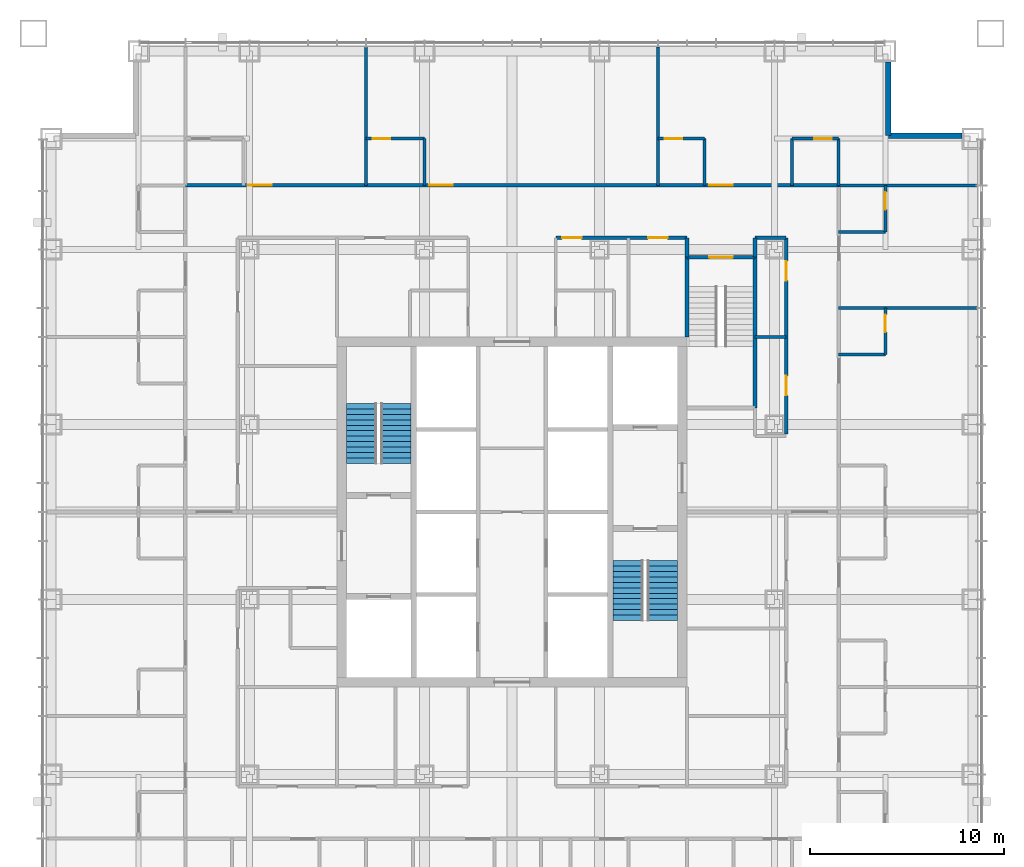
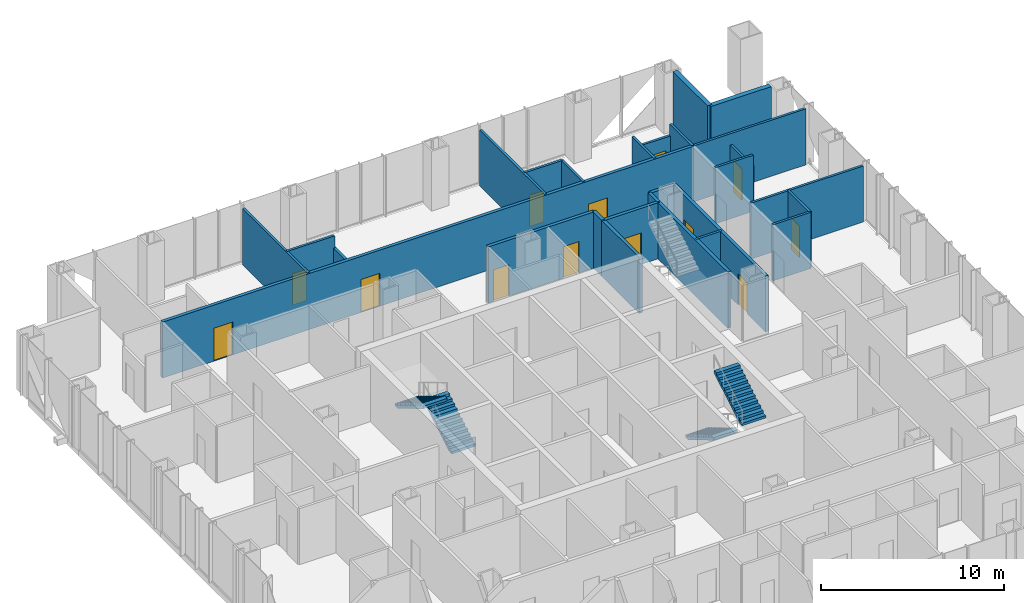
# One storey, part 12 of 18: 27 walls, 13 doors, 4 stair flights, 13 openings, 2 elements without a shape of their own.
"""IFC4 building model written with IfcOpenShell, lengths in metres."""

from ifc_helpers import new_model, si_unit, direction, frame, frame_2d, origin, place, context, subcontext, project, spatial, polyline, rectangle, outline, extrude, material, layer, layer_set, type_object, element, fill, aggregate, save


model = new_model("IFC4")

# Units and contexts
model_context = context("Model", 3, precision=1e-05, world=origin(), true_north=direction((0.0, 1.0)))
body_context = subcontext(model_context, "Body", "Model", "MODEL_VIEW")
ifc_project = project(units=[si_unit("LENGTHUNIT", "METRE"), si_unit("AREAUNIT", "SQUARE_METRE"), si_unit("VOLUMEUNIT", "CUBIC_METRE"), si_unit("PLANEANGLEUNIT", "RADIAN"), si_unit("MASSUNIT", "GRAM", prefix="KILO")], contexts=[model_context])

# Site, building, storey
site_placement = place(None, origin())
site = spatial("IfcSite", under=ifc_project, at=site_placement, CompositionType="ELEMENT")
building_placement = place(site_placement, origin())
building = spatial("IfcBuilding", under=site, at=building_placement, Name="Malebo Sky Hospital", CompositionType="ELEMENT")
storey_placement = place(building_placement, frame((0.0, 0.0, 132.0)))
storey = spatial("IfcBuildingStorey", under=building, at=storey_placement, Name="L31", CompositionType="ELEMENT", Elevation=132.0)

# Wall, openings, doors
ifc_material_1 = material(Name="Gypsum board on steel studs", Category="steel")
ifc_layer_1 = layer(ifc_material_1, 0.199951171875)
ifc_layer_set_1 = layer_set([ifc_layer_1], Name="CORRIDOR WALL 200")
wall_type_1 = type_object("IfcWallType", Name="CORRIDOR WALL 200", PredefinedType="PARTITIONING", material=ifc_layer_set_1)
wall_1_placement = place(storey_placement, frame((43.199951171875, 78.800048828125, 0.0), z_axis=(0.0, 0.0, 1.0), x_axis=(1.0, 0.0, 0.0)))
wall_1 = element("IfcWall", 1, at=wall_1_placement, inside=storey, type_object=wall_type_1, Name="Corridor Wall 200 NCO", PredefinedType="PARTITIONING", context=body_context, shape_type="SweptSolid", body=[
    extrude(rectangle(XDim=33.60009765625, YDim=0.199951171875, at=frame_2d((16.800048828125, 0.0))), origin(), (0.0, 0.0, 1.0), 3.75),
])
opening_1_placement = place(wall_1_placement, frame((3.25, 0.0, 0.0)))
opening_1 = element("IfcOpeningElement", 2, at=opening_1_placement, cuts=wall_1, Name="Opening D01", PredefinedType="OPENING", context=body_context, shape_type="SweptSolid", body=[
    extrude(rectangle(XDim=1.199951171875, YDim=2.199951171875, at=frame_2d((0.60009765625, 1.10009765625))), frame((0.0, 0.10986328125, 0.0), z_axis=(0.0, -1.0, 0.0), x_axis=(1.0, 0.0, 0.0)), (0.0, 0.0, 1.0), 0.219970703125),
])
opening_2_placement = place(wall_1_placement, frame((12.550048828125, 0.0, 0.0)))
opening_2 = element("IfcOpeningElement", 3, at=opening_2_placement, cuts=wall_1, Name="Opening D01", PredefinedType="OPENING", context=body_context, shape_type="SweptSolid", body=[
    extrude(rectangle(XDim=1.199951171875, YDim=2.199951171875, at=frame_2d((0.60009765625, 1.10009765625))), frame((0.0, 0.10986328125, 0.0), z_axis=(0.0, -1.0, 0.0), x_axis=(1.0, 0.0, 0.0)), (0.0, 0.0, 1.0), 0.219970703125),
])
opening_3_placement = place(wall_1_placement, frame((26.949951171875, 0.0, 0.0)))
opening_3 = element("IfcOpeningElement", 4, at=opening_3_placement, cuts=wall_1, Name="Opening D01", PredefinedType="OPENING", context=body_context, shape_type="SweptSolid", body=[
    extrude(rectangle(XDim=1.199951171875, YDim=2.199951171875, at=frame_2d((0.60009765625, 1.10009765625))), frame((0.0, 0.10986328125, 0.0), z_axis=(0.0, -1.0, 0.0), x_axis=(1.0, 0.0, 0.0)), (0.0, 0.0, 1.0), 0.219970703125),
])
ifc_material_2 = material(Name="Hardwood-faced door leaf in steel frame", Category="steel")
door_type_1 = type_object("IfcDoorType", Name="BED DOOR 1200", OperationType="SINGLE_SWING_LEFT", PredefinedType="DOOR", material=ifc_material_2)
door_1_placement = place(opening_1_placement, origin())
door_1 = element("IfcDoor", 5, at=door_1_placement, inside=storey, type_object=door_type_1, Name="Dialysis bay door", OperationType="SINGLE_SWING_LEFT", OverallHeight=2.199951171875, OverallWidth=1.199951171875, PredefinedType="DOOR", context=body_context, shape_type="SweptSolid", body=[
    extrude(rectangle(XDim=1.199951171875, YDim=2.199951171875, at=frame_2d((0.60009765625, 1.10009765625))), frame((0.0, 0.02490234375, 0.0), z_axis=(0.0, -1.0, 0.0), x_axis=(1.0, 0.0, 0.0)), (0.0, 0.0, 1.0), 0.050048828125),
])
fill(opening_1, door_1)
door_2_placement = place(opening_2_placement, origin())
door_2 = element("IfcDoor", 6, at=door_2_placement, inside=storey, type_object=door_type_1, Name="Dialysis bay door", OperationType="SINGLE_SWING_LEFT", OverallHeight=2.199951171875, OverallWidth=1.199951171875, PredefinedType="DOOR", context=body_context, shape_type="SweptSolid", body=[
    extrude(rectangle(XDim=1.199951171875, YDim=2.199951171875, at=frame_2d((0.60009765625, 1.10009765625))), frame((0.0, 0.02490234375, 0.0), z_axis=(0.0, -1.0, 0.0), x_axis=(1.0, 0.0, 0.0)), (0.0, 0.0, 1.0), 0.050048828125),
])
fill(opening_2, door_2)
door_3_placement = place(opening_3_placement, origin())
door_3 = element("IfcDoor", 7, at=door_3_placement, inside=storey, type_object=door_type_1, Name="Four-bed bay door", OperationType="SINGLE_SWING_LEFT", OverallHeight=2.199951171875, OverallWidth=1.199951171875, PredefinedType="DOOR", context=body_context, shape_type="SweptSolid", body=[
    extrude(rectangle(XDim=1.199951171875, YDim=2.199951171875, at=frame_2d((0.60009765625, 1.10009765625))), frame((0.0, 0.02490234375, 0.0), z_axis=(0.0, -1.0, 0.0), x_axis=(1.0, 0.0, 0.0)), (0.0, 0.0, 1.0), 0.050048828125),
])
fill(opening_3, door_3)

wall_2_placement = place(storey_placement, frame((62.25, 76.10009765625, 0.0), z_axis=(0.0, 0.0, 1.0), x_axis=(1.0, 0.0, 0.0)))
wall_2 = element("IfcWall", 8, at=wall_2_placement, inside=storey, type_object=wall_type_1, Name="Corridor Wall 200 NCI2", PredefinedType="PARTITIONING", context=body_context, shape_type="SweptSolid", body=[
    extrude(rectangle(XDim=6.75, YDim=0.199951171875, at=frame_2d((3.375, 0.0))), origin(), (0.0, 0.0, 1.0), 3.75),
])
opening_4_placement = place(wall_2_placement, frame((0.324951171875, 0.0, 0.0)))
opening_4 = element("IfcOpeningElement", 9, at=opening_4_placement, cuts=wall_2, Name="Opening D03", PredefinedType="OPENING", context=body_context, shape_type="SweptSolid", body=[
    extrude(rectangle(XDim=1.0, YDim=2.10009765625, at=frame_2d((0.5, 1.050048828125))), frame((0.0, 0.10986328125, 0.0), z_axis=(0.0, -1.0, 0.0), x_axis=(1.0, 0.0, 0.0)), (0.0, 0.0, 1.0), 0.219970703125),
])
opening_5_placement = place(wall_2_placement, frame((4.75, 0.0, 0.0)))
opening_5 = element("IfcOpeningElement", 10, at=opening_5_placement, cuts=wall_2, Name="Opening D03", PredefinedType="OPENING", context=body_context, shape_type="SweptSolid", body=[
    extrude(rectangle(XDim=1.0, YDim=2.10009765625, at=frame_2d((0.5, 1.050048828125))), frame((0.0, 0.10986328125, 0.0), z_axis=(0.0, -1.0, 0.0), x_axis=(1.0, 0.0, 0.0)), (0.0, 0.0, 1.0), 0.219970703125),
])
door_type_2 = type_object("IfcDoorType", Name="ROOM DOOR 1000", OperationType="SINGLE_SWING_LEFT", PredefinedType="DOOR", material=ifc_material_2)
door_4_placement = place(opening_4_placement, origin())
door_4 = element("IfcDoor", 11, at=door_4_placement, inside=storey, type_object=door_type_2, Name="Linen store door", OperationType="SINGLE_SWING_LEFT", OverallHeight=2.10009765625, OverallWidth=1.0, PredefinedType="DOOR", context=body_context, shape_type="SweptSolid", body=[
    extrude(rectangle(XDim=1.0, YDim=2.10009765625, at=frame_2d((0.5, 1.050048828125))), frame((0.0, 0.02490234375, 0.0), z_axis=(0.0, -1.0, 0.0), x_axis=(1.0, 0.0, 0.0)), (0.0, 0.0, 1.0), 0.050048828125),
])
fill(opening_4, door_4)
door_5_placement = place(opening_5_placement, origin())
door_5 = element("IfcDoor", 12, at=door_5_placement, inside=storey, type_object=door_type_2, Name="Equipment store door", OperationType="SINGLE_SWING_RIGHT", OverallHeight=2.10009765625, OverallWidth=1.0, PredefinedType="DOOR", context=body_context, shape_type="SweptSolid", body=[
    extrude(rectangle(XDim=1.0, YDim=2.10009765625, at=frame_2d((0.5, 1.050048828125))), frame((0.0, 0.02490234375, 0.0), z_axis=(0.0, -1.0, 0.0), x_axis=(1.0, 0.0, 0.0)), (0.0, 0.0, 1.0), 0.050048828125),
])
fill(opening_5, door_5)

# Wall
wall_3_placement = place(storey_placement, frame((72.5, 76.10009765625, 0.0), z_axis=(0.0, 0.0, 1.0), x_axis=(1.0, 0.0, 0.0)))
element("IfcWall", 13, at=wall_3_placement, inside=storey, type_object=wall_type_1, Name="Corridor Wall 200 NCI2/2", PredefinedType="PARTITIONING", context=body_context, shape_type="SweptSolid", body=[
    extrude(rectangle(XDim=1.60009765625, YDim=0.199951171875, at=frame_2d((0.800048828125, 0.0))), origin(), (0.0, 0.0, 1.0), 3.75),
])

# Wall, openings, doors
wall_4_placement = place(storey_placement, frame((74.10009765625, 76.10009765625, 0.0), z_axis=(0.0, 0.0, 1.0), x_axis=(0.0, -1.0, 0.0)))
wall_4 = element("IfcWall", 14, at=wall_4_placement, inside=storey, type_object=wall_type_1, Name="Corridor Wall 200 ECI1", PredefinedType="PARTITIONING", context=body_context, shape_type="SweptSolid", body=[
    extrude(rectangle(XDim=10.10009765625, YDim=0.199951171875, at=frame_2d((5.050048828125, 0.0))), origin(), (0.0, 0.0, 1.0), 3.75),
])
opening_6_placement = place(wall_4_placement, frame((1.199951171875, 0.0, 0.0)))
opening_6 = element("IfcOpeningElement", 15, at=opening_6_placement, cuts=wall_4, Name="Opening D03", PredefinedType="OPENING", context=body_context, shape_type="SweptSolid", body=[
    extrude(rectangle(XDim=1.0, YDim=2.10009765625, at=frame_2d((0.5, 1.050048828125))), frame((0.0, 0.10986328125, 0.0), z_axis=(0.0, -1.0, 0.0), x_axis=(1.0, 0.0, 0.0)), (0.0, 0.0, 1.0), 0.219970703125),
])
opening_7_placement = place(wall_4_placement, frame((7.10009765625, 0.0, 0.0)))
opening_7 = element("IfcOpeningElement", 16, at=opening_7_placement, cuts=wall_4, Name="Opening D03", PredefinedType="OPENING", context=body_context, shape_type="SweptSolid", body=[
    extrude(rectangle(XDim=1.0, YDim=2.10009765625, at=frame_2d((0.5, 1.050048828125))), frame((0.0, 0.10986328125, 0.0), z_axis=(0.0, -1.0, 0.0), x_axis=(1.0, 0.0, 0.0)), (0.0, 0.0, 1.0), 0.219970703125),
])
door_6_placement = place(opening_6_placement, origin())
door_6 = element("IfcDoor", 17, at=door_6_placement, inside=storey, type_object=door_type_2, Name="Consulting room door", OperationType="SINGLE_SWING_LEFT", OverallHeight=2.10009765625, OverallWidth=1.0, PredefinedType="DOOR", context=body_context, shape_type="SweptSolid", body=[
    extrude(rectangle(XDim=1.0, YDim=2.10009765625, at=frame_2d((0.5, 1.050048828125))), frame((0.0, 0.02490234375, 0.0), z_axis=(0.0, -1.0, 0.0), x_axis=(1.0, 0.0, 0.0)), (0.0, 0.0, 1.0), 0.050048828125),
])
fill(opening_6, door_6)
door_7_placement = place(opening_7_placement, origin())
door_7 = element("IfcDoor", 18, at=door_7_placement, inside=storey, type_object=door_type_2, Name="Dietitian consulting room door", OperationType="SINGLE_SWING_LEFT", OverallHeight=2.10009765625, OverallWidth=1.0, PredefinedType="DOOR", context=body_context, shape_type="SweptSolid", body=[
    extrude(rectangle(XDim=1.0, YDim=2.10009765625, at=frame_2d((0.5, 1.050048828125))), frame((0.0, 0.02490234375, 0.0), z_axis=(0.0, -1.0, 0.0), x_axis=(1.0, 0.0, 0.0)), (0.0, 0.0, 1.0), 0.050048828125),
])
fill(opening_7, door_7)

# Walls
for number, where, z_axis, x_axis, name in (
    (19, (69.0, 75.10009765625, 0.0), (0.0, 0.0, 1.0), (0.0, 1.0, 0.0), "Corridor Wall 200 ST3AW"),
    (20, (72.5, 75.10009765625, 0.0), (0.0, 0.0, 1.0), (0.0, 1.0, 0.0), "Corridor Wall 200 ST3AE"),
):
    element("IfcWall", number, at=place(storey_placement, frame(where, z_axis=z_axis, x_axis=x_axis)), inside=storey, type_object=wall_type_1, Name=name, PredefinedType="PARTITIONING", context=body_context, shape_type="SweptSolid", body=[
        extrude(rectangle(XDim=1.0, YDim=0.199951171875, at=frame_2d((0.5, 0.0))), origin(), (0.0, 0.0, 1.0), 3.75),
    ])
ifc_material_3 = material(Name="Anodised aluminium rainscreen on steel framing", Category="steel")
ifc_layer_2 = layer(ifc_material_3, 0.300048828125)
ifc_layer_set_2 = layer_set([ifc_layer_2], Name="NOTCH RAINSCREEN WALL 300")
wall_type_2 = type_object("IfcWallType", Name="NOTCH RAINSCREEN WALL 300", PredefinedType="ELEMENTEDWALL", material=ifc_layer_set_2)
for number, where, z_axis, x_axis, name in (
    (21, (79.35009765625, 85.14990234375, 0.0), (0.0, 0.0, 1.0), (0.0, -1.0, 0.0), "Notch rainscreen wall N1 L31"),
    (22, (79.35009765625, 81.35009765625, 0.0), (0.0, 0.0, 1.0), (1.0, 0.0, 0.0), "Notch rainscreen wall N2 L31"),
):
    element("IfcWall", number, at=place(storey_placement, frame(where, z_axis=z_axis, x_axis=x_axis)), inside=storey, type_object=wall_type_2, Name=name, PredefinedType="ELEMENTEDWALL", context=body_context, shape_type="SweptSolid", body=[
        extrude(rectangle(XDim=3.7998046875, YDim=0.300048828125, at=frame_2d((1.89990234375, 0.0))), origin(), (0.0, 0.0, 1.0), 4.0),
    ])
ifc_layer_3 = layer(ifc_material_1, 0.14990234375)
ifc_layer_set_3 = layer_set([ifc_layer_3], Name="PARTITION 150")
wall_type_3 = type_object("IfcWallType", Name="PARTITION 150", PredefinedType="PARTITIONING", material=ifc_layer_set_3)
for number, where, z_axis, x_axis, name in (
    (23, (52.5, 78.800048828125, 0.0), (0.0, 0.0, 1.0), (0.0, 1.0, 0.0), "Partition 150 NP-7.5"),
    (24, (67.5, 78.800048828125, 0.0), (0.0, 0.0, 1.0), (0.0, 1.0, 0.0), "Partition 150 NP+7.5"),
):
    element("IfcWall", number, at=place(storey_placement, frame(where, z_axis=z_axis, x_axis=x_axis)), inside=storey, type_object=wall_type_3, Name=name, PredefinedType="PARTITIONING", context=body_context, shape_type="SweptSolid", body=[
        extrude(rectangle(XDim=7.10986328125, YDim=0.14990234375, at=frame_2d((3.554931640625, 0.0))), origin(), (0.0, 0.0, 1.0), 3.75),
    ])

# Wall, opening, door
wall_5_placement = place(storey_placement, frame((52.5, 81.199951171875, 0.0), z_axis=(0.0, 0.0, 1.0), x_axis=(1.0, 0.0, 0.0)))
wall_5 = element("IfcWall", 25, at=wall_5_placement, inside=storey, type_object=wall_type_3, Name="Partition 150 NE1F", PredefinedType="PARTITIONING", context=body_context, shape_type="SweptSolid", body=[
    extrude(rectangle(XDim=3.0, YDim=0.14990234375, at=frame_2d((1.5, 0.0))), origin(), (0.0, 0.0, 1.0), 3.75),
])
opening_8_placement = place(wall_5_placement, frame((0.35009765625, 0.0, 0.0)))
opening_8 = element("IfcOpeningElement", 26, at=opening_8_placement, cuts=wall_5, Name="Opening D02", PredefinedType="OPENING", context=body_context, shape_type="SweptSolid", body=[
    extrude(rectangle(XDim=0.89990234375, YDim=2.10009765625, at=frame_2d((0.449951171875, 1.050048828125))), frame((0.0, 0.0849609375, 0.0), z_axis=(0.0, -1.0, 0.0), x_axis=(1.0, 0.0, 0.0)), (0.0, 0.0, 1.0), 0.169921875),
])
door_type_3 = type_object("IfcDoorType", Name="EN-SUITE DOOR 900", OperationType="SINGLE_SWING_LEFT", PredefinedType="DOOR", material=ifc_material_2)
door_8_placement = place(opening_8_placement, origin())
door_8 = element("IfcDoor", 27, at=door_8_placement, inside=storey, type_object=door_type_3, Name="Patient WC door", OperationType="SINGLE_SWING_LEFT", OverallHeight=2.10009765625, OverallWidth=0.89990234375, PredefinedType="DOOR", context=body_context, shape_type="SweptSolid", body=[
    extrude(rectangle(XDim=0.89990234375, YDim=2.10009765625, at=frame_2d((0.449951171875, 1.050048828125))), frame((0.0, 0.02490234375, 0.0), z_axis=(0.0, -1.0, 0.0), x_axis=(1.0, 0.0, 0.0)), (0.0, 0.0, 1.0), 0.050048828125),
])
fill(opening_8, door_8)

# Wall
wall_6_placement = place(storey_placement, frame((55.5, 78.800048828125, 0.0), z_axis=(0.0, 0.0, 1.0), x_axis=(0.0, 1.0, 0.0)))
element("IfcWall", 28, at=wall_6_placement, inside=storey, type_object=wall_type_3, Name="Partition 150 NE1S", PredefinedType="PARTITIONING", context=body_context, shape_type="SweptSolid", body=[
    extrude(rectangle(XDim=2.39990234375, YDim=0.14990234375, at=frame_2d((1.199951171875, 0.0))), origin(), (0.0, 0.0, 1.0), 2.949951171875),
])

# Wall, opening, door
wall_7_placement = place(storey_placement, frame((67.5, 81.199951171875, 0.0), z_axis=(0.0, 0.0, 1.0), x_axis=(1.0, 0.0, 0.0)))
wall_7 = element("IfcWall", 29, at=wall_7_placement, inside=storey, type_object=wall_type_3, Name="Partition 150 NE2F", PredefinedType="PARTITIONING", context=body_context, shape_type="SweptSolid", body=[
    extrude(rectangle(XDim=2.39990234375, YDim=0.14990234375, at=frame_2d((1.199951171875, 0.0))), origin(), (0.0, 0.0, 1.0), 3.75),
])
opening_9_placement = place(wall_7_placement, frame((0.35009765625, 0.0, 0.0)))
opening_9 = element("IfcOpeningElement", 30, at=opening_9_placement, cuts=wall_7, Name="Opening D02", PredefinedType="OPENING", context=body_context, shape_type="SweptSolid", body=[
    extrude(rectangle(XDim=0.89990234375, YDim=2.10009765625, at=frame_2d((0.449951171875, 1.050048828125))), frame((0.0, 0.0849609375, 0.0), z_axis=(0.0, -1.0, 0.0), x_axis=(1.0, 0.0, 0.0)), (0.0, 0.0, 1.0), 0.169921875),
])
door_9_placement = place(opening_9_placement, origin())
door_9 = element("IfcDoor", 31, at=door_9_placement, inside=storey, type_object=door_type_3, Name="En-suite door", OperationType="SINGLE_SWING_LEFT", OverallHeight=2.10009765625, OverallWidth=0.89990234375, PredefinedType="DOOR", context=body_context, shape_type="SweptSolid", body=[
    extrude(rectangle(XDim=0.89990234375, YDim=2.10009765625, at=frame_2d((0.449951171875, 1.050048828125))), frame((0.0, 0.02490234375, 0.0), z_axis=(0.0, -1.0, 0.0), x_axis=(1.0, 0.0, 0.0)), (0.0, 0.0, 1.0), 0.050048828125),
])
fill(opening_9, door_9)

# Wall
wall_8_placement = place(storey_placement, frame((69.89990234375, 78.800048828125, 0.0), z_axis=(0.0, 0.0, 1.0), x_axis=(0.0, 1.0, 0.0)))
element("IfcWall", 32, at=wall_8_placement, inside=storey, type_object=wall_type_3, Name="Partition 150 NE2S", PredefinedType="PARTITIONING", context=body_context, shape_type="SweptSolid", body=[
    extrude(rectangle(XDim=2.39990234375, YDim=0.14990234375, at=frame_2d((1.199951171875, 0.0))), origin(), (0.0, 0.0, 1.0), 3.75),
])

# Wall, opening, door
wall_9_placement = place(storey_placement, frame((74.39990234375, 81.199951171875, 0.0), z_axis=(0.0, 0.0, 1.0), x_axis=(1.0, 0.0, 0.0)))
wall_9 = element("IfcWall", 33, at=wall_9_placement, inside=storey, type_object=wall_type_3, Name="Partition 150 NG2F", PredefinedType="PARTITIONING", context=body_context, shape_type="SweptSolid", body=[
    extrude(rectangle(XDim=2.400146484375, YDim=0.14990234375, at=frame_2d((1.2001953125, 0.0))), origin(), (0.0, 0.0, 1.0), 2.9970703125),
])
opening_10_placement = place(wall_9_placement, frame((1.14990234375, 0.0, 0.0)))
opening_10 = element("IfcOpeningElement", 34, at=opening_10_placement, cuts=wall_9, Name="Opening D02", PredefinedType="OPENING", context=body_context, shape_type="SweptSolid", body=[
    extrude(rectangle(XDim=0.89990234375, YDim=2.10009765625, at=frame_2d((0.449951171875, 1.050048828125))), frame((0.0, 0.0849609375, 0.0), z_axis=(0.0, -1.0, 0.0), x_axis=(1.0, 0.0, 0.0)), (0.0, 0.0, 1.0), 0.169921875),
])
door_10_placement = place(opening_10_placement, origin())
door_10 = element("IfcDoor", 35, at=door_10_placement, inside=storey, type_object=door_type_3, Name="En-suite door", OperationType="SINGLE_SWING_RIGHT", OverallHeight=2.10009765625, OverallWidth=0.89990234375, PredefinedType="DOOR", context=body_context, shape_type="SweptSolid", body=[
    extrude(rectangle(XDim=0.89990234375, YDim=2.10009765625, at=frame_2d((0.449951171875, 1.050048828125))), frame((0.0, 0.02490234375, 0.0), z_axis=(0.0, -1.0, 0.0), x_axis=(1.0, 0.0, 0.0)), (0.0, 0.0, 1.0), 0.050048828125),
])
fill(opening_10, door_10)

# Walls
for number, where, z_axis, x_axis, name in (
    (36, (74.39990234375, 78.800048828125, 0.0), (0.0, 0.0, 1.0), (0.0, 1.0, 0.0), "Partition 150 NG2S"),
    (37, (76.800048828125, 78.800048828125, 0.0), (0.0, 0.0, 1.0), (0.0, 1.0, 0.0), "Partition 150 NEZ"),
):
    element("IfcWall", number, at=place(storey_placement, frame(where, z_axis=z_axis, x_axis=x_axis)), inside=storey, type_object=wall_type_3, Name=name, PredefinedType="PARTITIONING", context=body_context, shape_type="SweptSolid", body=[
        extrude(rectangle(XDim=2.39990234375, YDim=0.14990234375, at=frame_2d((1.199951171875, 0.0))), origin(), (0.0, 0.0, 1.0), 3.75),
    ])
for number, where, z_axis, x_axis, name in (
    (38, (76.800048828125, 72.5, 0.0), (0.0, 0.0, 1.0), (1.0, 0.0, 0.0), "Partition 150 EP-10.5"),
    (39, (76.800048828125, 78.800048828125, 0.0), (0.0, 0.0, 1.0), (1.0, 0.0, 0.0), "Partition 150 EP0"),
):
    element("IfcWall", number, at=place(storey_placement, frame(where, z_axis=z_axis, x_axis=x_axis)), inside=storey, type_object=wall_type_3, Name=name, PredefinedType="PARTITIONING", context=body_context, shape_type="SweptSolid", body=[
        extrude(rectangle(XDim=7.10986328125, YDim=0.14990234375, at=frame_2d((3.554931640625, 0.0))), origin(), (0.0, 0.0, 1.0), 3.75),
    ])

# Wall, opening, door
wall_10_placement = place(storey_placement, frame((79.199951171875, 78.800048828125, 0.0), z_axis=(0.0, 0.0, 1.0), x_axis=(0.0, -1.0, 0.0)))
wall_10 = element("IfcWall", 40, at=wall_10_placement, inside=storey, type_object=wall_type_3, Name="Partition 150 EE0F", PredefinedType="PARTITIONING", context=body_context, shape_type="SweptSolid", body=[
    extrude(rectangle(XDim=2.400146484375, YDim=0.14990234375, at=frame_2d((1.2001953125, 0.0))), origin(), (0.0, 0.0, 1.0), 2.9970703125),
])
opening_11_placement = place(wall_10_placement, frame((0.35009765625, 0.0, 0.0)))
opening_11 = element("IfcOpeningElement", 41, at=opening_11_placement, cuts=wall_10, Name="Opening D02", PredefinedType="OPENING", context=body_context, shape_type="SweptSolid", body=[
    extrude(rectangle(XDim=0.89990234375, YDim=2.10009765625, at=frame_2d((0.449951171875, 1.050048828125))), frame((0.0, 0.0849609375, 0.0), z_axis=(0.0, -1.0, 0.0), x_axis=(1.0, 0.0, 0.0)), (0.0, 0.0, 1.0), 0.169921875),
])
door_11_placement = place(opening_11_placement, origin())
door_11 = element("IfcDoor", 42, at=door_11_placement, inside=storey, type_object=door_type_3, Name="En-suite door", OperationType="SINGLE_SWING_LEFT", OverallHeight=2.10009765625, OverallWidth=0.89990234375, PredefinedType="DOOR", context=body_context, shape_type="SweptSolid", body=[
    extrude(rectangle(XDim=0.89990234375, YDim=2.10009765625, at=frame_2d((0.449951171875, 1.050048828125))), frame((0.0, 0.02490234375, 0.0), z_axis=(0.0, -1.0, 0.0), x_axis=(1.0, 0.0, 0.0)), (0.0, 0.0, 1.0), 0.050048828125),
])
fill(opening_11, door_11)

# Wall
wall_11_placement = place(storey_placement, frame((76.800048828125, 76.39990234375, 0.0), z_axis=(0.0, 0.0, 1.0), x_axis=(1.0, 0.0, 0.0)))
element("IfcWall", 43, at=wall_11_placement, inside=storey, type_object=wall_type_3, Name="Partition 150 EE0S", PredefinedType="PARTITIONING", context=body_context, shape_type="SweptSolid", body=[
    extrude(rectangle(XDim=2.39990234375, YDim=0.14990234375, at=frame_2d((1.199951171875, 0.0))), origin(), (0.0, 0.0, 1.0), 3.75),
])

# Wall, opening, door
wall_12_placement = place(storey_placement, frame((79.199951171875, 72.5, 0.0), z_axis=(0.0, 0.0, 1.0), x_axis=(0.0, -1.0, 0.0)))
wall_12 = element("IfcWall", 44, at=wall_12_placement, inside=storey, type_object=wall_type_3, Name="Partition 150 EE1F", PredefinedType="PARTITIONING", context=body_context, shape_type="SweptSolid", body=[
    extrude(rectangle(XDim=2.39990234375, YDim=0.14990234375, at=frame_2d((1.199951171875, 0.0))), origin(), (0.0, 0.0, 1.0), 3.75),
])
opening_12_placement = place(wall_12_placement, frame((0.35009765625, 0.0, 0.0)))
opening_12 = element("IfcOpeningElement", 45, at=opening_12_placement, cuts=wall_12, Name="Opening D02", PredefinedType="OPENING", context=body_context, shape_type="SweptSolid", body=[
    extrude(rectangle(XDim=0.89990234375, YDim=2.10009765625, at=frame_2d((0.449951171875, 1.050048828125))), frame((0.0, 0.0849609375, 0.0), z_axis=(0.0, -1.0, 0.0), x_axis=(1.0, 0.0, 0.0)), (0.0, 0.0, 1.0), 0.169921875),
])
door_12_placement = place(opening_12_placement, origin())
door_12 = element("IfcDoor", 46, at=door_12_placement, inside=storey, type_object=door_type_3, Name="En-suite door", OperationType="SINGLE_SWING_LEFT", OverallHeight=2.10009765625, OverallWidth=0.89990234375, PredefinedType="DOOR", context=body_context, shape_type="SweptSolid", body=[
    extrude(rectangle(XDim=0.89990234375, YDim=2.10009765625, at=frame_2d((0.449951171875, 1.050048828125))), frame((0.0, 0.02490234375, 0.0), z_axis=(0.0, -1.0, 0.0), x_axis=(1.0, 0.0, 0.0)), (0.0, 0.0, 1.0), 0.050048828125),
])
fill(opening_12, door_12)

# Walls
wall_13_placement = place(storey_placement, frame((76.800048828125, 70.10009765625, 0.0), z_axis=(0.0, 0.0, 1.0), x_axis=(1.0, 0.0, 0.0)))
element("IfcWall", 47, at=wall_13_placement, inside=storey, type_object=wall_type_3, Name="Partition 150 EE1S", PredefinedType="PARTITIONING", context=body_context, shape_type="SweptSolid", body=[
    extrude(rectangle(XDim=2.39990234375, YDim=0.14990234375, at=frame_2d((1.199951171875, 0.0))), origin(), (0.0, 0.0, 1.0), 3.75),
])
wall_14_placement = place(storey_placement, frame((72.5, 71.0, 0.0), z_axis=(0.0, 0.0, 1.0), x_axis=(1.0, 0.0, 0.0)))
element("IfcWall", 48, at=wall_14_placement, inside=storey, type_object=wall_type_3, Name="Partition 150 ESP0", PredefinedType="PARTITIONING", context=body_context, shape_type="SweptSolid", body=[
    extrude(rectangle(XDim=1.60009765625, YDim=0.14990234375, at=frame_2d((0.800048828125, 0.0))), origin(), (0.0, 0.0, 1.0), 3.75),
])
ifc_material_4 = material(Name="Concrete C40/50", Category="concrete")
ifc_layer_4 = layer(ifc_material_4, 0.199951171875)
ifc_layer_set_4 = layer_set([ifc_layer_4], Name="STAIR ENCLOSURE WALL 200")
wall_type_4 = type_object("IfcWallType", Name="STAIR ENCLOSURE WALL 200", PredefinedType="SOLIDWALL", material=ifc_layer_set_4)
wall_15_placement = place(storey_placement, frame((69.0, 71.0, 0.0), z_axis=(0.0, 0.0, 1.0), x_axis=(0.0, 1.0, 0.0)))
element("IfcWall", 49, at=wall_15_placement, inside=storey, type_object=wall_type_4, Name="Stair Enclosure Wall 200 ST3W", PredefinedType="SOLIDWALL", context=body_context, shape_type="SweptSolid", body=[
    extrude(rectangle(XDim=4.10009765625, YDim=0.199951171875, at=frame_2d((2.050048828125, 0.0))), origin(), (0.0, 0.0, 1.0), 3.75),
])
wall_16_placement = place(storey_placement, frame((72.5, 67.35009765625, 0.0), z_axis=(0.0, 0.0, 1.0), x_axis=(0.0, 1.0, 0.0)))
element("IfcWall", 50, at=wall_16_placement, inside=storey, type_object=wall_type_4, Name="Stair Enclosure Wall 200 ST3E", PredefinedType="SOLIDWALL", context=body_context, shape_type="SweptSolid", body=[
    extrude(rectangle(XDim=7.75, YDim=0.199951171875, at=frame_2d((3.875, 0.0))), origin(), (0.0, 0.0, 1.0), 3.75),
])

# Wall, opening, door
wall_17_placement = place(storey_placement, frame((69.0, 75.10009765625, 0.0), z_axis=(0.0, 0.0, 1.0), x_axis=(1.0, 0.0, 0.0)))
wall_17 = element("IfcWall", 51, at=wall_17_placement, inside=storey, type_object=wall_type_4, Name="Stair Enclosure Wall 200 ST3N", PredefinedType="SOLIDWALL", context=body_context, shape_type="SweptSolid", body=[
    extrude(rectangle(XDim=3.5, YDim=0.199951171875, at=frame_2d((1.75, 0.0))), origin(), (0.0, 0.0, 1.0), 3.75),
])
opening_13_placement = place(wall_17_placement, frame((1.14990234375, 0.0, 0.0)))
opening_13 = element("IfcOpeningElement", 52, at=opening_13_placement, cuts=wall_17, Name="Opening D08", PredefinedType="OPENING", context=body_context, shape_type="SweptSolid", body=[
    extrude(rectangle(XDim=1.199951171875, YDim=2.10009765625, at=frame_2d((0.60009765625, 1.050048828125))), frame((0.0, 0.10986328125, 0.0), z_axis=(0.0, -1.0, 0.0), x_axis=(1.0, 0.0, 0.0)), (0.0, 0.0, 1.0), 0.219970703125),
])
door_type_4 = type_object("IfcDoorType", Name="STAIR DOOR 1200", OperationType="SINGLE_SWING_LEFT", PredefinedType="DOOR", material=ifc_material_2)
door_13_placement = place(opening_13_placement, origin())
door_13 = element("IfcDoor", 53, at=door_13_placement, inside=storey, type_object=door_type_4, Name="Stair S3 door", OperationType="SINGLE_SWING_LEFT", OverallHeight=2.10009765625, OverallWidth=1.199951171875, PredefinedType="DOOR", context=body_context, shape_type="SweptSolid", body=[
    extrude(rectangle(XDim=1.199951171875, YDim=2.10009765625, at=frame_2d((0.60009765625, 1.050048828125))), frame((0.0, 0.02490234375, 0.0), z_axis=(0.0, -1.0, 0.0), x_axis=(1.0, 0.0, 0.0)), (0.0, 0.0, 1.0), 0.050048828125),
])
fill(opening_13, door_13)

# Stair, stair flights
stair_type = type_object("IfcStairType", Name="HALF-TURN STAIR 1500 R167", PredefinedType="HALF_TURN_STAIR", material=ifc_material_4)
stair_1_placement = place(storey_placement, origin())
stair_1 = element("IfcStair", 54, at=stair_1_placement, inside=storey, type_object=stair_type, Name="Stair S1 L31 type ST1", PredefinedType="HALF_TURN_STAIR")
stair_flight_type = type_object("IfcStairFlightType", Name="STAIR FLIGHT 1500 R167", PredefinedType="STRAIGHT", material=ifc_material_4)
stair_flight_1_placement = place(storey_placement, frame((54.050048828125, 64.5, 0.0), z_axis=(0.0, 0.0, 1.0), x_axis=(0.0, 1.0, 0.0)))
stair_flight_1 = element("IfcStairFlight", 55, at=stair_flight_1_placement, type_object=stair_flight_type, Name="S1 flight 1 type SF1", NumberOfRisers=12, NumberOfTreads=11, PredefinedType="STRAIGHT", RiserHeight=0.166666667, TreadLength=0.28, context=body_context, shape_type="SweptSolid", body=[
    extrude(outline(polyline([(0.0, 0.0), (0.0, 0.166748046875), (0.280029296875, 0.166748046875), (0.280029296875, 0.333251953125), (0.56005859375, 0.333251953125), (0.56005859375, 0.5), (0.840087890625, 0.5), (0.840087890625, 0.666748046875), (1.1201171875, 0.666748046875), (1.1201171875, 0.833251953125), (1.39990234375, 0.833251953125), (1.39990234375, 1.0), (1.679931640625, 1.0), (1.679931640625, 1.166748046875), (1.9599609375, 1.166748046875), (1.9599609375, 1.333251953125), (2.239990234375, 1.333251953125), (2.239990234375, 1.5), (2.52001953125, 1.5), (2.52001953125, 1.666748046875), (2.800048828125, 1.666748046875), (2.800048828125, 1.833251953125), (3.080078125, 1.833251953125), (3.080078125, 2.0), (3.080078125, 1.658935546875), (0.29296875, 0.0), (0.0, 0.0)])), frame((0.0, 0.75, 0.0), z_axis=(0.0, -1.0, 0.0), x_axis=(1.0, 0.0, 0.0)), (0.0, 0.0, 1.0), 1.5),
])
stair_flight_2_placement = place(storey_placement, frame((52.25, 67.580078125, 2.0), z_axis=(0.0, 0.0, 1.0), x_axis=(0.0, -1.0, 0.0)))
stair_flight_2 = element("IfcStairFlight", 56, at=stair_flight_2_placement, type_object=stair_flight_type, Name="S1 flight 2 type SF1", NumberOfRisers=12, NumberOfTreads=11, PredefinedType="STRAIGHT", RiserHeight=0.166666667, TreadLength=0.28, context=body_context, shape_type="SweptSolid", body=[
    extrude(outline(polyline([(0.0, 0.0), (0.0, 0.166748046875), (0.280029296875, 0.166748046875), (0.280029296875, 0.333251953125), (0.56005859375, 0.333251953125), (0.56005859375, 0.5), (0.840087890625, 0.5), (0.840087890625, 0.666748046875), (1.1201171875, 0.666748046875), (1.1201171875, 0.833251953125), (1.39990234375, 0.833251953125), (1.39990234375, 1.0), (1.679931640625, 1.0), (1.679931640625, 1.166748046875), (1.9599609375, 1.166748046875), (1.9599609375, 1.333251953125), (2.239990234375, 1.333251953125), (2.239990234375, 1.5), (2.52001953125, 1.5), (2.52001953125, 1.666748046875), (2.800048828125, 1.666748046875), (2.800048828125, 1.833251953125), (3.080078125, 1.833251953125), (3.080078125, 2.0), (3.080078125, 1.658935546875), (0.29296875, 0.0), (0.0, 0.0)])), frame((0.0, 0.75, 0.0), z_axis=(0.0, -1.0, 0.0), x_axis=(1.0, 0.0, 0.0)), (0.0, 0.0, 1.0), 1.5),
])
aggregate(stair_1, [stair_flight_1, stair_flight_2])

stair_2_placement = place(storey_placement, origin())
stair_2 = element("IfcStair", 57, at=stair_2_placement, inside=storey, type_object=stair_type, Name="Stair S2 L31 type ST1", PredefinedType="HALF_TURN_STAIR")
stair_flight_3_placement = place(storey_placement, frame((65.949951171875, 59.5, 0.0), z_axis=(0.0, 0.0, 1.0), x_axis=(0.0, -1.0, 0.0)))
stair_flight_3 = element("IfcStairFlight", 58, at=stair_flight_3_placement, type_object=stair_flight_type, Name="S2 flight 1 type SF1", NumberOfRisers=12, NumberOfTreads=11, PredefinedType="STRAIGHT", RiserHeight=0.166666667, TreadLength=0.28, context=body_context, shape_type="SweptSolid", body=[
    extrude(outline(polyline([(0.0, 0.0), (0.0, 0.166748046875), (0.280029296875, 0.166748046875), (0.280029296875, 0.333251953125), (0.56005859375, 0.333251953125), (0.56005859375, 0.5), (0.840087890625, 0.5), (0.840087890625, 0.666748046875), (1.1201171875, 0.666748046875), (1.1201171875, 0.833251953125), (1.39990234375, 0.833251953125), (1.39990234375, 1.0), (1.679931640625, 1.0), (1.679931640625, 1.166748046875), (1.9599609375, 1.166748046875), (1.9599609375, 1.333251953125), (2.239990234375, 1.333251953125), (2.239990234375, 1.5), (2.52001953125, 1.5), (2.52001953125, 1.666748046875), (2.800048828125, 1.666748046875), (2.800048828125, 1.833251953125), (3.080078125, 1.833251953125), (3.080078125, 2.0), (3.080078125, 1.658935546875), (0.29296875, 0.0), (0.0, 0.0)])), frame((0.0, 0.75, 0.0), z_axis=(0.0, -1.0, 0.0), x_axis=(1.0, 0.0, 0.0)), (0.0, 0.0, 1.0), 1.5),
])
stair_flight_4_placement = place(storey_placement, frame((67.75, 56.419921875, 2.0), z_axis=(0.0, 0.0, 1.0), x_axis=(0.0, 1.0, 0.0)))
stair_flight_4 = element("IfcStairFlight", 59, at=stair_flight_4_placement, type_object=stair_flight_type, Name="S2 flight 2 type SF1", NumberOfRisers=12, NumberOfTreads=11, PredefinedType="STRAIGHT", RiserHeight=0.166666667, TreadLength=0.28, context=body_context, shape_type="SweptSolid", body=[
    extrude(outline(polyline([(0.0, 0.0), (0.0, 0.166748046875), (0.280029296875, 0.166748046875), (0.280029296875, 0.333251953125), (0.56005859375, 0.333251953125), (0.56005859375, 0.5), (0.840087890625, 0.5), (0.840087890625, 0.666748046875), (1.1201171875, 0.666748046875), (1.1201171875, 0.833251953125), (1.39990234375, 0.833251953125), (1.39990234375, 1.0), (1.679931640625, 1.0), (1.679931640625, 1.166748046875), (1.9599609375, 1.166748046875), (1.9599609375, 1.333251953125), (2.239990234375, 1.333251953125), (2.239990234375, 1.5), (2.52001953125, 1.5), (2.52001953125, 1.666748046875), (2.800048828125, 1.666748046875), (2.800048828125, 1.833251953125), (3.080078125, 1.833251953125), (3.080078125, 2.0), (3.080078125, 1.658935546875), (0.29296875, 0.0), (0.0, 0.0)])), frame((0.0, 0.75, 0.0), z_axis=(0.0, -1.0, 0.0), x_axis=(1.0, 0.0, 0.0)), (0.0, 0.0, 1.0), 1.5),
])
aggregate(stair_2, [stair_flight_3, stair_flight_4])

save(model, "model.ifc")
